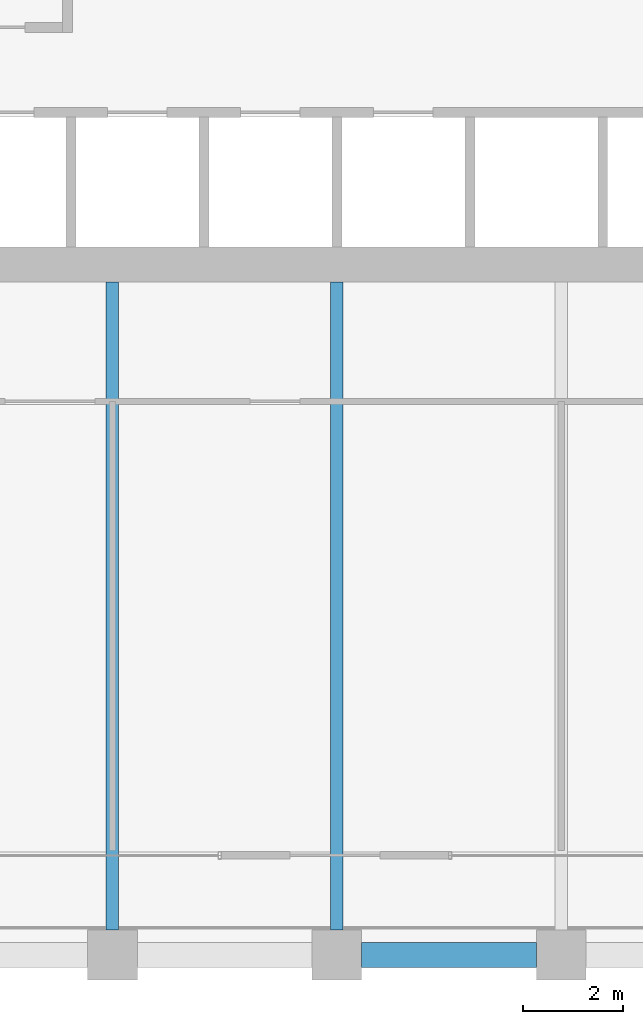
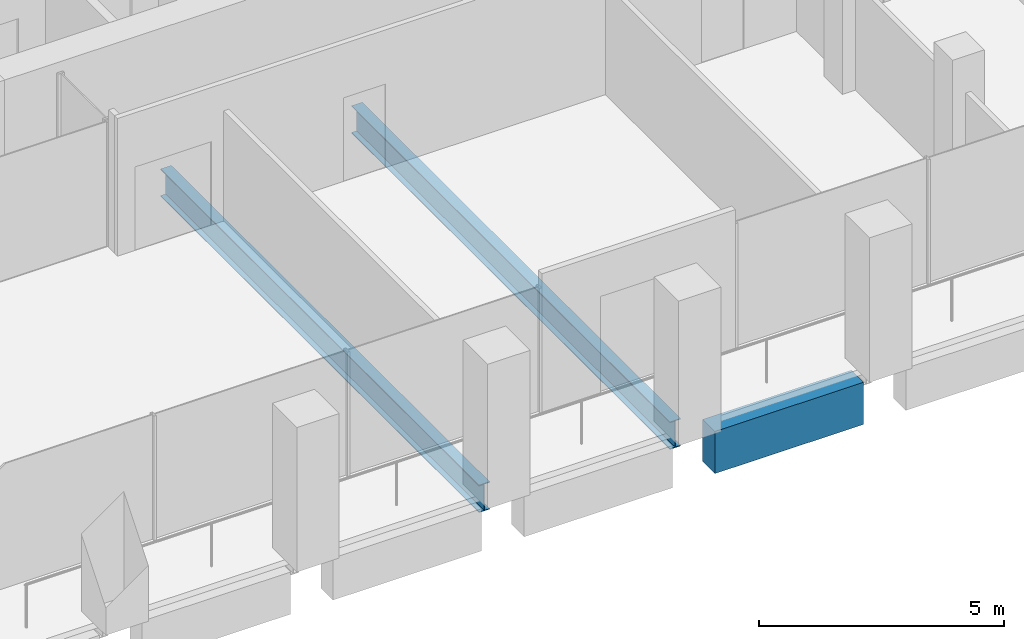
# One storey, part 8 of 46: 3 beams.
"""IFC4 building model written with IfcOpenShell, lengths in metres."""

from ifc_helpers import new_model, si_unit, direction, frame, origin, origin_2d, place, context, subcontext, project, spatial, rectangle, i_section, extrude, material, material_profile, profile_set, type_object, element, save


model = new_model("IFC4")

# Units and contexts
model_context = context("Model", 3, precision=1e-05, world=origin(), true_north=direction((0.0, 1.0)))
body_context = subcontext(model_context, "Body", "Model", "MODEL_VIEW")
ifc_project = project(units=[si_unit("LENGTHUNIT", "METRE"), si_unit("AREAUNIT", "SQUARE_METRE"), si_unit("VOLUMEUNIT", "CUBIC_METRE"), si_unit("PLANEANGLEUNIT", "RADIAN"), si_unit("MASSUNIT", "GRAM", prefix="KILO")], contexts=[model_context])

# Site, building, storey
site_placement = place(None, origin())
site = spatial("IfcSite", under=ifc_project, at=site_placement, CompositionType="ELEMENT")
building_placement = place(site_placement, origin())
building = spatial("IfcBuilding", under=site, at=building_placement, Name="Altepetl Exchange Towers", CompositionType="ELEMENT")
storey_placement = place(building_placement, frame((0.0, 0.0, 128.0)))
storey = spatial("IfcBuildingStorey", under=building, at=storey_placement, Name="L31", CompositionType="ELEMENT", Elevation=128.0)

# Beams
ifc_material_1 = material(Name="Steel S355", Category="steel")
ifc_material_profile_1 = material_profile(ifc_material_1, i_section(OverallWidth=0.25390625, OverallDepth=0.68408203125, WebThickness=0.012451171875, FlangeThickness=0.018798828125, at=origin_2d()), Name="W27X94")
ifc_profile_set_1 = profile_set([ifc_material_profile_1], Name="Steel S355")
beam_type_1 = type_object("IfcBeamType", Name="Floor beam W27X94", PredefinedType="BEAM", material=ifc_profile_set_1)
for number, where, z_axis, x_axis, name in (
    (1, (45.0, 27.5, -0.491943359375), (0.0, 1.0, 0.0), (-1.0, 0.0, 0.0), "bm:A:L31:015"),
    (2, (49.5, 27.5, -0.491943359375), (0.0, 1.0, 0.0), (-1.0, 0.0, 0.0), "bm:A:L31:016"),
):
    element("IfcBeam", number, at=place(storey_placement, frame(where, z_axis=z_axis, x_axis=x_axis)), inside=storey, type_object=beam_type_1, Name=name, PredefinedType="BEAM", context=body_context, shape_type="SweptSolid", body=[
        extrude(i_section(OverallWidth=0.25390625, OverallDepth=0.68408203125, WebThickness=0.012451171875, FlangeThickness=0.018798828125, at=origin_2d()), origin(), (0.0, 0.0, 1.0), 13.0),
    ])
ifc_material_2 = material(Name="Concrete C50/60 precast with cantera blanca facing", Category="concrete")
ifc_material_profile_2 = material_profile(ifc_material_2, rectangle(XDim=0.5, YDim=1.050048828125, at=origin_2d()), Name="500 x 1050")
ifc_profile_set_2 = profile_set([ifc_material_profile_2], Name="Concrete C50/60 precast with cantera blanca facing")
beam_type_2 = type_object("IfcBeamType", Name="Spandrel beam 500x1050 cantera blanca", PredefinedType="SPANDREL", material=ifc_profile_set_2)
beam_placement = place(storey_placement, frame((50.0, 27.0, -0.675048828125), z_axis=(1.0, 0.0, 0.0), x_axis=(0.0, 1.0, 0.0)))
element("IfcBeam", 3, at=beam_placement, inside=storey, type_object=beam_type_2, Name="sp:A:L31:004", PredefinedType="SPANDREL", context=body_context, shape_type="SweptSolid", body=[
    extrude(rectangle(XDim=0.5, YDim=1.050048828125, at=origin_2d()), origin(), (0.0, 0.0, 1.0), 3.5),
])

save(model, "model.ifc")
